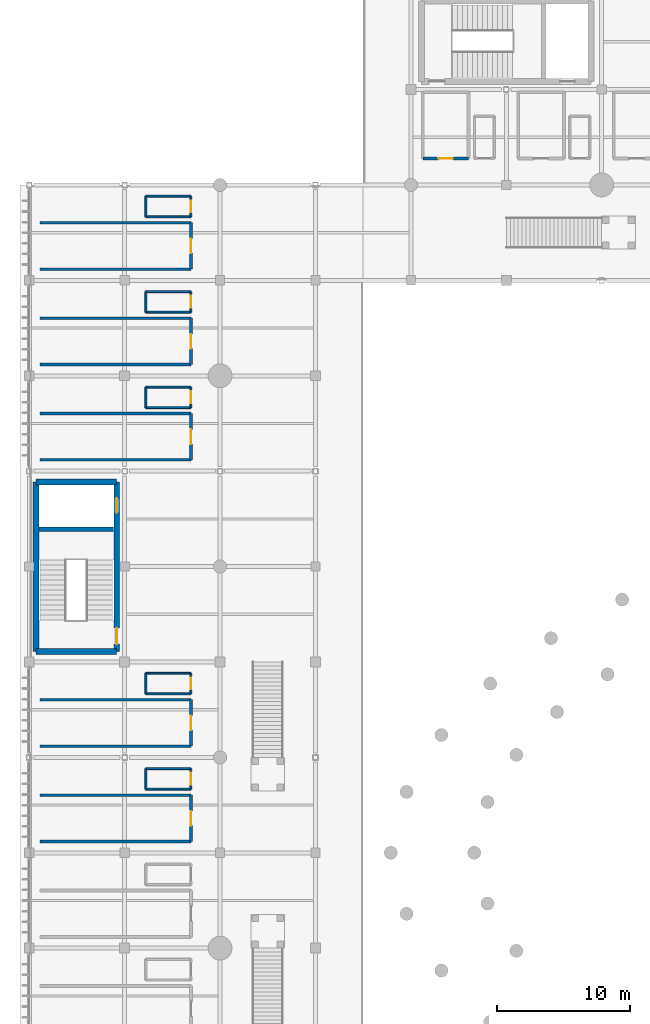
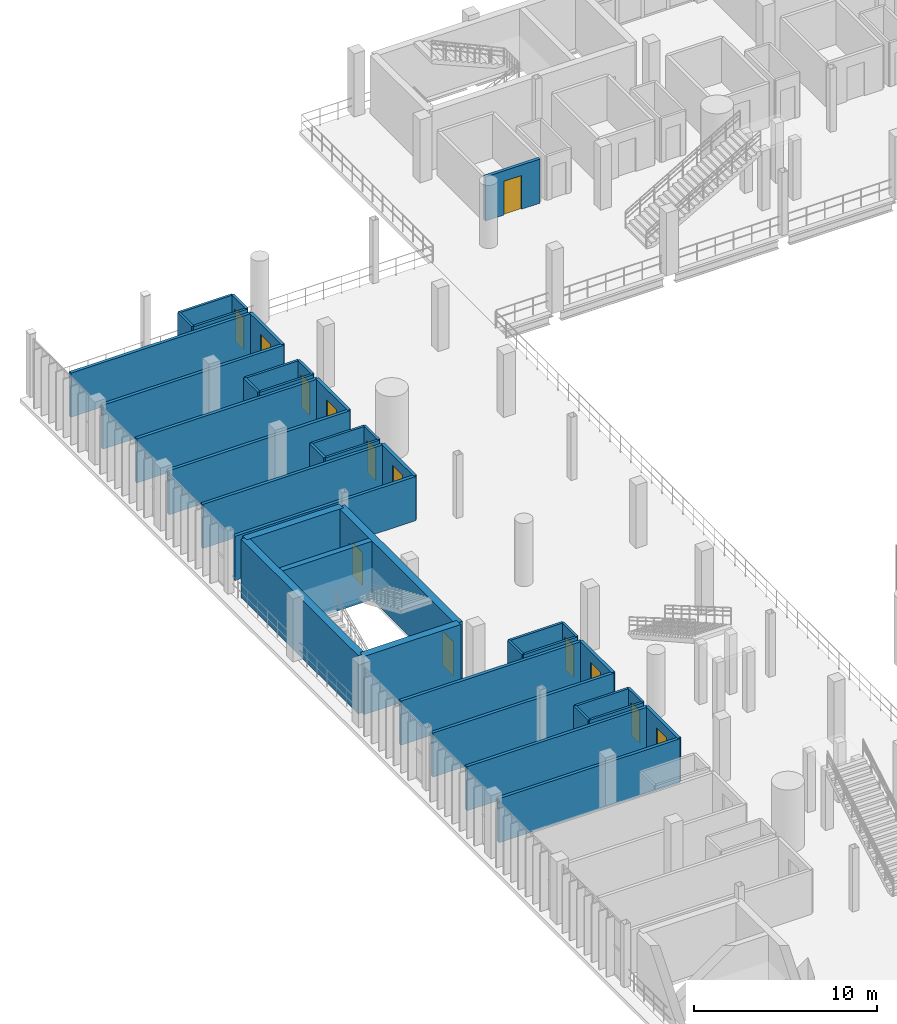
# One storey, part 106 of 130: 41 walls, 13 doors, 13 openings.
"""IFC4 building model written with IfcOpenShell, lengths in metres."""

from ifc_helpers import new_model, si_unit, direction, frame, frame_2d, origin, place, context, subcontext, project, spatial, rectangle, extrude, material, layer, layer_set, type_object, element, fill, save


model = new_model("IFC4")

# Units and contexts
model_context = context("Model", 3, precision=1e-05, world=origin(), true_north=direction((0.0, 1.0)))
body_context = subcontext(model_context, "Body", "Model", "MODEL_VIEW")
ifc_project = project(units=[si_unit("LENGTHUNIT", "METRE"), si_unit("AREAUNIT", "SQUARE_METRE"), si_unit("VOLUMEUNIT", "CUBIC_METRE"), si_unit("PLANEANGLEUNIT", "RADIAN"), si_unit("MASSUNIT", "GRAM", prefix="KILO")], contexts=[model_context])

# Site, building, storey
site_placement = place(None, origin())
site = spatial("IfcSite", under=ifc_project, at=site_placement, CompositionType="ELEMENT")
building_placement = place(site_placement, origin())
building = spatial("IfcBuilding", under=site, at=building_placement, Name="Qandorah Velis Arena", CompositionType="ELEMENT")
storey_placement = place(building_placement, frame((0.0, 0.0, 9.60009765625)))
storey = spatial("IfcBuildingStorey", under=building, at=storey_placement, Name="L02", CompositionType="ELEMENT", Elevation=9.60009765625)

# Wall
ifc_material_1 = material(Name="Concrete C35/45", Category="concrete")
ifc_layer_1 = layer(ifc_material_1, 0.199951171875)
ifc_layer_set_1 = layer_set([ifc_layer_1], Name="Concrete C35/45")
wall_type_1 = type_object("IfcWallType", Name="ARC-WAL-FD60-200", PredefinedType="PARTITIONING", material=ifc_layer_set_1)
wall_1_placement = place(storey_placement, frame((0.800048828125, 65.64990234375, 0.0), z_axis=(0.0, 0.0, 1.0), x_axis=(1.0, 0.0, 0.0)))
element("IfcWall", 1, at=wall_1_placement, inside=storey, type_object=wall_type_1, Name="Interior partition L02-HS-06 (S)", PredefinedType="PARTITIONING", context=body_context, shape_type="SweptSolid", body=[
    extrude(rectangle(XDim=11.39990234375, YDim=0.199951171875, at=frame_2d((5.699951171875, 0.0))), origin(), (0.0, 0.0, 1.0), 2.93994140625),
])

# Wall, opening, door
wall_2_placement = place(storey_placement, frame((12.199951171875, 65.64990234375, 0.0), z_axis=(0.0, 0.0, 1.0), x_axis=(0.0, 1.0, 0.0)))
wall_2 = element("IfcWall", 2, at=wall_2_placement, inside=storey, type_object=wall_type_1, Name="Interior partition L02-HS-06 (E)", PredefinedType="PARTITIONING", context=body_context, shape_type="SweptSolid", body=[
    extrude(rectangle(XDim=3.5, YDim=0.199951171875, at=frame_2d((1.75, 0.0))), origin(), (0.0, 0.0, 1.0), 2.93994140625),
])
opening_1_placement = place(wall_2_placement, frame((1.199951171875, 0.0, 0.0)))
opening_1 = element("IfcOpeningElement", 3, at=opening_1_placement, cuts=wall_2, Name="Opening D7", PredefinedType="OPENING", context=body_context, shape_type="SweptSolid", body=[
    extrude(rectangle(XDim=1.10009765625, YDim=2.25, at=frame_2d((0.550048828125, 1.125))), frame((0.0, 0.10986328125, 0.0), z_axis=(0.0, -1.0, 0.0), x_axis=(1.0, 0.0, 0.0)), (0.0, 0.0, 1.0), 0.219970703125),
])
ifc_material_2 = material(Name="Hospitality suite acoustic walnut door")
door_type_1 = type_object("IfcDoorType", Name="ARC-DR-INT1100", OperationType="NOTDEFINED", PredefinedType="DOOR", material=ifc_material_2)
door_1_placement = place(opening_1_placement, origin())
door_1 = element("IfcDoor", 4, at=door_1_placement, inside=storey, type_object=door_type_1, Name="Door L02-HS-06", OperationType="SINGLE_SWING_LEFT", OverallHeight=2.25, OverallWidth=1.10009765625, PredefinedType="DOOR", context=body_context, shape_type="SweptSolid", body=[
    extrude(rectangle(XDim=1.10009765625, YDim=2.25, at=frame_2d((0.550048828125, 1.125))), frame((0.0, 0.02490234375, 0.0), z_axis=(0.0, -1.0, 0.0), x_axis=(1.0, 0.0, 0.0)), (0.0, 0.0, 1.0), 0.050048828125),
])
fill(opening_1, door_1)

# Walls
for number, where, z_axis, x_axis, name in (
    (5, (12.199951171875, 69.14990234375, 0.0), (0.0, 0.0, 1.0), (-1.0, 0.0, 0.0), "Interior partition L02-HS-06 (N)"),
    (6, (0.800048828125, 72.85009765625, 0.0), (0.0, 0.0, 1.0), (1.0, 0.0, 0.0), "Interior partition L02-HS-07 (S)"),
):
    element("IfcWall", number, at=place(storey_placement, frame(where, z_axis=z_axis, x_axis=x_axis)), inside=storey, type_object=wall_type_1, Name=name, PredefinedType="PARTITIONING", context=body_context, shape_type="SweptSolid", body=[
        extrude(rectangle(XDim=11.39990234375, YDim=0.199951171875, at=frame_2d((5.699951171875, 0.0))), origin(), (0.0, 0.0, 1.0), 2.93994140625),
    ])

# Wall, opening, door
wall_3_placement = place(storey_placement, frame((12.199951171875, 72.85009765625, 0.0), z_axis=(0.0, 0.0, 1.0), x_axis=(0.0, 1.0, 0.0)))
wall_3 = element("IfcWall", 7, at=wall_3_placement, inside=storey, type_object=wall_type_1, Name="Interior partition L02-HS-07 (E)", PredefinedType="PARTITIONING", context=body_context, shape_type="SweptSolid", body=[
    extrude(rectangle(XDim=3.5, YDim=0.199951171875, at=frame_2d((1.75, 0.0))), origin(), (0.0, 0.0, 1.0), 2.93994140625),
])
opening_2_placement = place(wall_3_placement, frame((1.199951171875, 0.0, 0.0)))
opening_2 = element("IfcOpeningElement", 8, at=opening_2_placement, cuts=wall_3, Name="Opening D7", PredefinedType="OPENING", context=body_context, shape_type="SweptSolid", body=[
    extrude(rectangle(XDim=1.10009765625, YDim=2.25, at=frame_2d((0.550048828125, 1.125))), frame((0.0, 0.10986328125, 0.0), z_axis=(0.0, -1.0, 0.0), x_axis=(1.0, 0.0, 0.0)), (0.0, 0.0, 1.0), 0.219970703125),
])
door_2_placement = place(opening_2_placement, origin())
door_2 = element("IfcDoor", 9, at=door_2_placement, inside=storey, type_object=door_type_1, Name="Door L02-HS-07", OperationType="SINGLE_SWING_LEFT", OverallHeight=2.25, OverallWidth=1.10009765625, PredefinedType="DOOR", context=body_context, shape_type="SweptSolid", body=[
    extrude(rectangle(XDim=1.10009765625, YDim=2.25, at=frame_2d((0.550048828125, 1.125))), frame((0.0, 0.02490234375, 0.0), z_axis=(0.0, -1.0, 0.0), x_axis=(1.0, 0.0, 0.0)), (0.0, 0.0, 1.0), 0.050048828125),
])
fill(opening_2, door_2)

# Walls
for number, where, z_axis, x_axis, name in (
    (10, (12.199951171875, 76.35009765625, 0.0), (0.0, 0.0, 1.0), (-1.0, 0.0, 0.0), "Interior partition L02-HS-07 (N)"),
    (11, (0.800048828125, 94.449951171875, 0.0), (0.0, 0.0, 1.0), (1.0, 0.0, 0.0), "Interior partition L02-HS-08 (S)"),
):
    element("IfcWall", number, at=place(storey_placement, frame(where, z_axis=z_axis, x_axis=x_axis)), inside=storey, type_object=wall_type_1, Name=name, PredefinedType="PARTITIONING", context=body_context, shape_type="SweptSolid", body=[
        extrude(rectangle(XDim=11.39990234375, YDim=0.199951171875, at=frame_2d((5.699951171875, 0.0))), origin(), (0.0, 0.0, 1.0), 2.93994140625),
    ])

# Wall, opening, door
wall_4_placement = place(storey_placement, frame((12.199951171875, 94.449951171875, 0.0), z_axis=(0.0, 0.0, 1.0), x_axis=(0.0, 1.0, 0.0)))
wall_4 = element("IfcWall", 12, at=wall_4_placement, inside=storey, type_object=wall_type_1, Name="Interior partition L02-HS-08 (E)", PredefinedType="PARTITIONING", context=body_context, shape_type="SweptSolid", body=[
    extrude(rectangle(XDim=3.5, YDim=0.199951171875, at=frame_2d((1.75, 0.0))), origin(), (0.0, 0.0, 1.0), 2.93994140625),
])
opening_3_placement = place(wall_4_placement, frame((1.199951171875, 0.0, 0.0)))
opening_3 = element("IfcOpeningElement", 13, at=opening_3_placement, cuts=wall_4, Name="Opening D7", PredefinedType="OPENING", context=body_context, shape_type="SweptSolid", body=[
    extrude(rectangle(XDim=1.10009765625, YDim=2.25, at=frame_2d((0.550048828125, 1.125))), frame((0.0, 0.10986328125, 0.0), z_axis=(0.0, -1.0, 0.0), x_axis=(1.0, 0.0, 0.0)), (0.0, 0.0, 1.0), 0.219970703125),
])
door_3_placement = place(opening_3_placement, origin())
door_3 = element("IfcDoor", 14, at=door_3_placement, inside=storey, type_object=door_type_1, Name="Door L02-HS-08", OperationType="SINGLE_SWING_LEFT", OverallHeight=2.25, OverallWidth=1.10009765625, PredefinedType="DOOR", context=body_context, shape_type="SweptSolid", body=[
    extrude(rectangle(XDim=1.10009765625, YDim=2.25, at=frame_2d((0.550048828125, 1.125))), frame((0.0, 0.02490234375, 0.0), z_axis=(0.0, -1.0, 0.0), x_axis=(1.0, 0.0, 0.0)), (0.0, 0.0, 1.0), 0.050048828125),
])
fill(opening_3, door_3)

# Walls
for number, where, z_axis, x_axis, name in (
    (15, (12.199951171875, 97.949951171875, 0.0), (0.0, 0.0, 1.0), (-1.0, 0.0, 0.0), "Interior partition L02-HS-08 (N)"),
    (16, (0.800048828125, 101.64990234375, 0.0), (0.0, 0.0, 1.0), (1.0, 0.0, 0.0), "Interior partition L02-HS-09 (S)"),
):
    element("IfcWall", number, at=place(storey_placement, frame(where, z_axis=z_axis, x_axis=x_axis)), inside=storey, type_object=wall_type_1, Name=name, PredefinedType="PARTITIONING", context=body_context, shape_type="SweptSolid", body=[
        extrude(rectangle(XDim=11.39990234375, YDim=0.199951171875, at=frame_2d((5.699951171875, 0.0))), origin(), (0.0, 0.0, 1.0), 2.93994140625),
    ])

# Wall, opening, door
wall_5_placement = place(storey_placement, frame((12.199951171875, 101.64990234375, 0.0), z_axis=(0.0, 0.0, 1.0), x_axis=(0.0, 1.0, 0.0)))
wall_5 = element("IfcWall", 17, at=wall_5_placement, inside=storey, type_object=wall_type_1, Name="Interior partition L02-HS-09 (E)", PredefinedType="PARTITIONING", context=body_context, shape_type="SweptSolid", body=[
    extrude(rectangle(XDim=3.5, YDim=0.199951171875, at=frame_2d((1.75, 0.0))), origin(), (0.0, 0.0, 1.0), 2.93994140625),
])
opening_4_placement = place(wall_5_placement, frame((1.199951171875, 0.0, 0.0)))
opening_4 = element("IfcOpeningElement", 18, at=opening_4_placement, cuts=wall_5, Name="Opening D7", PredefinedType="OPENING", context=body_context, shape_type="SweptSolid", body=[
    extrude(rectangle(XDim=1.10009765625, YDim=2.25, at=frame_2d((0.550048828125, 1.125))), frame((0.0, 0.10986328125, 0.0), z_axis=(0.0, -1.0, 0.0), x_axis=(1.0, 0.0, 0.0)), (0.0, 0.0, 1.0), 0.219970703125),
])
door_4_placement = place(opening_4_placement, origin())
door_4 = element("IfcDoor", 19, at=door_4_placement, inside=storey, type_object=door_type_1, Name="Door L02-HS-09", OperationType="SINGLE_SWING_LEFT", OverallHeight=2.25, OverallWidth=1.10009765625, PredefinedType="DOOR", context=body_context, shape_type="SweptSolid", body=[
    extrude(rectangle(XDim=1.10009765625, YDim=2.25, at=frame_2d((0.550048828125, 1.125))), frame((0.0, 0.02490234375, 0.0), z_axis=(0.0, -1.0, 0.0), x_axis=(1.0, 0.0, 0.0)), (0.0, 0.0, 1.0), 0.050048828125),
])
fill(opening_4, door_4)

# Walls
for number, where, z_axis, x_axis, name in (
    (20, (12.199951171875, 105.14990234375, 0.0), (0.0, 0.0, 1.0), (-1.0, 0.0, 0.0), "Interior partition L02-HS-09 (N)"),
    (21, (0.800048828125, 108.85009765625, 0.0), (0.0, 0.0, 1.0), (1.0, 0.0, 0.0), "Interior partition L02-HS-10 (S)"),
):
    element("IfcWall", number, at=place(storey_placement, frame(where, z_axis=z_axis, x_axis=x_axis)), inside=storey, type_object=wall_type_1, Name=name, PredefinedType="PARTITIONING", context=body_context, shape_type="SweptSolid", body=[
        extrude(rectangle(XDim=11.39990234375, YDim=0.199951171875, at=frame_2d((5.699951171875, 0.0))), origin(), (0.0, 0.0, 1.0), 2.93994140625),
    ])

# Wall, opening, door
wall_6_placement = place(storey_placement, frame((12.199951171875, 108.85009765625, 0.0), z_axis=(0.0, 0.0, 1.0), x_axis=(0.0, 1.0, 0.0)))
wall_6 = element("IfcWall", 22, at=wall_6_placement, inside=storey, type_object=wall_type_1, Name="Interior partition L02-HS-10 (E)", PredefinedType="PARTITIONING", context=body_context, shape_type="SweptSolid", body=[
    extrude(rectangle(XDim=3.5, YDim=0.199951171875, at=frame_2d((1.75, 0.0))), origin(), (0.0, 0.0, 1.0), 2.93994140625),
])
opening_5_placement = place(wall_6_placement, frame((1.199951171875, 0.0, 0.0)))
opening_5 = element("IfcOpeningElement", 23, at=opening_5_placement, cuts=wall_6, Name="Opening D7", PredefinedType="OPENING", context=body_context, shape_type="SweptSolid", body=[
    extrude(rectangle(XDim=1.10009765625, YDim=2.25, at=frame_2d((0.550048828125, 1.125))), frame((0.0, 0.10986328125, 0.0), z_axis=(0.0, -1.0, 0.0), x_axis=(1.0, 0.0, 0.0)), (0.0, 0.0, 1.0), 0.219970703125),
])
door_5_placement = place(opening_5_placement, origin())
door_5 = element("IfcDoor", 24, at=door_5_placement, inside=storey, type_object=door_type_1, Name="Door L02-HS-10", OperationType="SINGLE_SWING_LEFT", OverallHeight=2.25, OverallWidth=1.10009765625, PredefinedType="DOOR", context=body_context, shape_type="SweptSolid", body=[
    extrude(rectangle(XDim=1.10009765625, YDim=2.25, at=frame_2d((0.550048828125, 1.125))), frame((0.0, 0.02490234375, 0.0), z_axis=(0.0, -1.0, 0.0), x_axis=(1.0, 0.0, 0.0)), (0.0, 0.0, 1.0), 0.050048828125),
])
fill(opening_5, door_5)

# Wall
wall_7_placement = place(storey_placement, frame((12.199951171875, 112.35009765625, 0.0), z_axis=(0.0, 0.0, 1.0), x_axis=(-1.0, 0.0, 0.0)))
element("IfcWall", 25, at=wall_7_placement, inside=storey, type_object=wall_type_1, Name="Interior partition L02-HS-10 (N)", PredefinedType="PARTITIONING", context=body_context, shape_type="SweptSolid", body=[
    extrude(rectangle(XDim=11.39990234375, YDim=0.199951171875, at=frame_2d((5.699951171875, 0.0))), origin(), (0.0, 0.0, 1.0), 2.93994140625),
])

# Wall, opening, door
wall_8_placement = place(storey_placement, frame((29.699951171875, 117.199951171875, 0.0), z_axis=(0.0, 0.0, 1.0), x_axis=(1.0, 0.0, 0.0)))
wall_8 = element("IfcWall", 26, at=wall_8_placement, inside=storey, type_object=wall_type_1, Name="Interior partition L02-HS-17 (S)", PredefinedType="PARTITIONING", context=body_context, shape_type="SweptSolid", body=[
    extrude(rectangle(XDim=3.449951171875, YDim=0.199951171875, at=frame_2d((1.72509765625, 0.0))), origin(), (0.0, 0.0, 1.0), 2.93994140625),
])
opening_6_placement = place(wall_8_placement, frame((1.175048828125, 0.0, 0.0)))
opening_6 = element("IfcOpeningElement", 27, at=opening_6_placement, cuts=wall_8, Name="Opening D7", PredefinedType="OPENING", context=body_context, shape_type="SweptSolid", body=[
    extrude(rectangle(XDim=1.10009765625, YDim=2.25, at=frame_2d((0.550048828125, 1.125))), frame((0.0, 0.10986328125, 0.0), z_axis=(0.0, -1.0, 0.0), x_axis=(1.0, 0.0, 0.0)), (0.0, 0.0, 1.0), 0.219970703125),
])
door_6_placement = place(opening_6_placement, origin())
door_6 = element("IfcDoor", 28, at=door_6_placement, inside=storey, type_object=door_type_1, Name="Door L02-HS-17", OperationType="SINGLE_SWING_LEFT", OverallHeight=2.25, OverallWidth=1.10009765625, PredefinedType="DOOR", context=body_context, shape_type="SweptSolid", body=[
    extrude(rectangle(XDim=1.10009765625, YDim=2.25, at=frame_2d((0.550048828125, 1.125))), frame((0.0, 0.02490234375, 0.0), z_axis=(0.0, -1.0, 0.0), x_axis=(1.0, 0.0, 0.0)), (0.0, 0.0, 1.0), 0.050048828125),
])
fill(opening_6, door_6)

# Wall
ifc_layer_2 = layer(ifc_material_1, 0.14990234375)
ifc_layer_set_2 = layer_set([ifc_layer_2], Name="Concrete C35/45")
wall_type_2 = type_object("IfcWallType", Name="ARC-WAL-PART150", PredefinedType="PARTITIONING", material=ifc_layer_set_2)
wall_9_placement = place(storey_placement, frame((8.800048828125, 69.60009765625, 0.0), z_axis=(0.0, 0.0, 1.0), x_axis=(1.0, 0.0, 0.0)))
element("IfcWall", 29, at=wall_9_placement, inside=storey, type_object=wall_type_2, Name="Interior partition L02-HSWC-06 (S)", PredefinedType="PARTITIONING", context=body_context, shape_type="SweptSolid", body=[
    extrude(rectangle(XDim=3.39990234375, YDim=0.14990234375, at=frame_2d((1.699951171875, 0.0))), origin(), (0.0, 0.0, 1.0), 2.93994140625),
])

# Wall, opening, door
wall_10_placement = place(storey_placement, frame((12.199951171875, 69.60009765625, 0.0), z_axis=(0.0, 0.0, 1.0), x_axis=(0.0, 1.0, 0.0)))
wall_10 = element("IfcWall", 30, at=wall_10_placement, inside=storey, type_object=wall_type_2, Name="Interior partition L02-HSWC-06 (E)", PredefinedType="PARTITIONING", context=body_context, shape_type="SweptSolid", body=[
    extrude(rectangle(XDim=1.5498046875, YDim=0.14990234375, at=frame_2d((0.77490234375, 0.0))), origin(), (0.0, 0.0, 1.0), 2.93994140625),
])
opening_7_placement = place(wall_10_placement, frame((0.324951171875, 0.0, 0.0)))
opening_7 = element("IfcOpeningElement", 31, at=opening_7_placement, cuts=wall_10, Name="Opening D8", PredefinedType="OPENING", context=body_context, shape_type="SweptSolid", body=[
    extrude(rectangle(XDim=0.89990234375, YDim=2.14990234375, at=frame_2d((0.449951171875, 1.074951171875))), frame((0.0, 0.0849609375, 0.0), z_axis=(0.0, -1.0, 0.0), x_axis=(1.0, 0.0, 0.0)), (0.0, 0.0, 1.0), 0.169921875),
])
ifc_material_3 = material(Name="Suite en-suite walnut door")
door_type_2 = type_object("IfcDoorType", Name="ARC-DR-WC900", OperationType="NOTDEFINED", PredefinedType="DOOR", material=ifc_material_3)
door_7_placement = place(opening_7_placement, frame((0.89990234375, 0.0, 0.0), z_axis=(0.0, 0.0, 1.0), x_axis=(-1.0, 0.0, 0.0)))
door_7 = element("IfcDoor", 32, at=door_7_placement, inside=storey, type_object=door_type_2, Name="Door L02-HSWC-06", OperationType="SINGLE_SWING_RIGHT", OverallHeight=2.14990234375, OverallWidth=0.89990234375, PredefinedType="DOOR", context=body_context, shape_type="SweptSolid", body=[
    extrude(rectangle(XDim=0.89990234375, YDim=2.14990234375, at=frame_2d((0.449951171875, 1.074951171875))), frame((0.0, 0.02490234375, 0.0), z_axis=(0.0, -1.0, 0.0), x_axis=(1.0, 0.0, 0.0)), (0.0, 0.0, 1.0), 0.050048828125),
])
fill(opening_7, door_7)

# Walls
wall_11_placement = place(storey_placement, frame((12.199951171875, 71.14990234375, 0.0), z_axis=(0.0, 0.0, 1.0), x_axis=(-1.0, 0.0, 0.0)))
element("IfcWall", 33, at=wall_11_placement, inside=storey, type_object=wall_type_2, Name="Interior partition L02-HSWC-06 (N)", PredefinedType="PARTITIONING", context=body_context, shape_type="SweptSolid", body=[
    extrude(rectangle(XDim=3.39990234375, YDim=0.14990234375, at=frame_2d((1.699951171875, 0.0))), origin(), (0.0, 0.0, 1.0), 2.93994140625),
])
wall_12_placement = place(storey_placement, frame((8.800048828125, 71.14990234375, 0.0), z_axis=(0.0, 0.0, 1.0), x_axis=(0.0, -1.0, 0.0)))
element("IfcWall", 34, at=wall_12_placement, inside=storey, type_object=wall_type_2, Name="Interior partition L02-HSWC-06 (W)", PredefinedType="PARTITIONING", context=body_context, shape_type="SweptSolid", body=[
    extrude(rectangle(XDim=1.5498046875, YDim=0.14990234375, at=frame_2d((0.77490234375, 0.0))), origin(), (0.0, 0.0, 1.0), 2.93994140625),
])
wall_13_placement = place(storey_placement, frame((8.800048828125, 76.800048828125, 0.0), z_axis=(0.0, 0.0, 1.0), x_axis=(1.0, 0.0, 0.0)))
element("IfcWall", 35, at=wall_13_placement, inside=storey, type_object=wall_type_2, Name="Interior partition L02-HSWC-07 (S)", PredefinedType="PARTITIONING", context=body_context, shape_type="SweptSolid", body=[
    extrude(rectangle(XDim=3.39990234375, YDim=0.14990234375, at=frame_2d((1.699951171875, 0.0))), origin(), (0.0, 0.0, 1.0), 2.93994140625),
])

# Wall, opening, door
wall_14_placement = place(storey_placement, frame((12.199951171875, 76.800048828125, 0.0), z_axis=(0.0, 0.0, 1.0), x_axis=(0.0, 1.0, 0.0)))
wall_14 = element("IfcWall", 36, at=wall_14_placement, inside=storey, type_object=wall_type_2, Name="Interior partition L02-HSWC-07 (E)", PredefinedType="PARTITIONING", context=body_context, shape_type="SweptSolid", body=[
    extrude(rectangle(XDim=1.550048828125, YDim=0.14990234375, at=frame_2d((0.77490234375, 0.0))), origin(), (0.0, 0.0, 1.0), 2.93994140625),
])
opening_8_placement = place(wall_14_placement, frame((0.324951171875, 0.0, 0.0)))
opening_8 = element("IfcOpeningElement", 37, at=opening_8_placement, cuts=wall_14, Name="Opening D8", PredefinedType="OPENING", context=body_context, shape_type="SweptSolid", body=[
    extrude(rectangle(XDim=0.89990234375, YDim=2.14990234375, at=frame_2d((0.449951171875, 1.074951171875))), frame((0.0, 0.0849609375, 0.0), z_axis=(0.0, -1.0, 0.0), x_axis=(1.0, 0.0, 0.0)), (0.0, 0.0, 1.0), 0.169921875),
])
door_8_placement = place(opening_8_placement, frame((0.89990234375, 0.0, 0.0), z_axis=(0.0, 0.0, 1.0), x_axis=(-1.0, 0.0, 0.0)))
door_8 = element("IfcDoor", 38, at=door_8_placement, inside=storey, type_object=door_type_2, Name="Door L02-HSWC-07", OperationType="SINGLE_SWING_RIGHT", OverallHeight=2.14990234375, OverallWidth=0.89990234375, PredefinedType="DOOR", context=body_context, shape_type="SweptSolid", body=[
    extrude(rectangle(XDim=0.89990234375, YDim=2.14990234375, at=frame_2d((0.449951171875, 1.074951171875))), frame((0.0, 0.02490234375, 0.0), z_axis=(0.0, -1.0, 0.0), x_axis=(1.0, 0.0, 0.0)), (0.0, 0.0, 1.0), 0.050048828125),
])
fill(opening_8, door_8)

# Walls
wall_15_placement = place(storey_placement, frame((12.199951171875, 78.35009765625, 0.0), z_axis=(0.0, 0.0, 1.0), x_axis=(-1.0, 0.0, 0.0)))
element("IfcWall", 39, at=wall_15_placement, inside=storey, type_object=wall_type_2, Name="Interior partition L02-HSWC-07 (N)", PredefinedType="PARTITIONING", context=body_context, shape_type="SweptSolid", body=[
    extrude(rectangle(XDim=3.39990234375, YDim=0.14990234375, at=frame_2d((1.699951171875, 0.0))), origin(), (0.0, 0.0, 1.0), 2.93994140625),
])
wall_16_placement = place(storey_placement, frame((8.800048828125, 78.35009765625, 0.0), z_axis=(0.0, 0.0, 1.0), x_axis=(0.0, -1.0, 0.0)))
element("IfcWall", 40, at=wall_16_placement, inside=storey, type_object=wall_type_2, Name="Interior partition L02-HSWC-07 (W)", PredefinedType="PARTITIONING", context=body_context, shape_type="SweptSolid", body=[
    extrude(rectangle(XDim=1.550048828125, YDim=0.14990234375, at=frame_2d((0.77490234375, 0.0))), origin(), (0.0, 0.0, 1.0), 2.93994140625),
])
wall_17_placement = place(storey_placement, frame((8.800048828125, 98.39990234375, 0.0), z_axis=(0.0, 0.0, 1.0), x_axis=(1.0, 0.0, 0.0)))
element("IfcWall", 41, at=wall_17_placement, inside=storey, type_object=wall_type_2, Name="Interior partition L02-HSWC-08 (S)", PredefinedType="PARTITIONING", context=body_context, shape_type="SweptSolid", body=[
    extrude(rectangle(XDim=3.39990234375, YDim=0.14990234375, at=frame_2d((1.699951171875, 0.0))), origin(), (0.0, 0.0, 1.0), 2.93994140625),
])

# Wall, opening, door
wall_18_placement = place(storey_placement, frame((12.199951171875, 98.39990234375, 0.0), z_axis=(0.0, 0.0, 1.0), x_axis=(0.0, 1.0, 0.0)))
wall_18 = element("IfcWall", 42, at=wall_18_placement, inside=storey, type_object=wall_type_2, Name="Interior partition L02-HSWC-08 (E)", PredefinedType="PARTITIONING", context=body_context, shape_type="SweptSolid", body=[
    extrude(rectangle(XDim=1.550048828125, YDim=0.14990234375, at=frame_2d((0.77490234375, 0.0))), origin(), (0.0, 0.0, 1.0), 2.93994140625),
])
opening_9_placement = place(wall_18_placement, frame((0.324951171875, 0.0, 0.0)))
opening_9 = element("IfcOpeningElement", 43, at=opening_9_placement, cuts=wall_18, Name="Opening D8", PredefinedType="OPENING", context=body_context, shape_type="SweptSolid", body=[
    extrude(rectangle(XDim=0.89990234375, YDim=2.14990234375, at=frame_2d((0.449951171875, 1.074951171875))), frame((0.0, 0.0849609375, 0.0), z_axis=(0.0, -1.0, 0.0), x_axis=(1.0, 0.0, 0.0)), (0.0, 0.0, 1.0), 0.169921875),
])
door_9_placement = place(opening_9_placement, frame((0.89990234375, 0.0, 0.0), z_axis=(0.0, 0.0, 1.0), x_axis=(-1.0, 0.0, 0.0)))
door_9 = element("IfcDoor", 44, at=door_9_placement, inside=storey, type_object=door_type_2, Name="Door L02-HSWC-08", OperationType="SINGLE_SWING_RIGHT", OverallHeight=2.14990234375, OverallWidth=0.89990234375, PredefinedType="DOOR", context=body_context, shape_type="SweptSolid", body=[
    extrude(rectangle(XDim=0.89990234375, YDim=2.14990234375, at=frame_2d((0.449951171875, 1.074951171875))), frame((0.0, 0.02490234375, 0.0), z_axis=(0.0, -1.0, 0.0), x_axis=(1.0, 0.0, 0.0)), (0.0, 0.0, 1.0), 0.050048828125),
])
fill(opening_9, door_9)

# Walls
wall_19_placement = place(storey_placement, frame((12.199951171875, 99.949951171875, 0.0), z_axis=(0.0, 0.0, 1.0), x_axis=(-1.0, 0.0, 0.0)))
element("IfcWall", 45, at=wall_19_placement, inside=storey, type_object=wall_type_2, Name="Interior partition L02-HSWC-08 (N)", PredefinedType="PARTITIONING", context=body_context, shape_type="SweptSolid", body=[
    extrude(rectangle(XDim=3.39990234375, YDim=0.14990234375, at=frame_2d((1.699951171875, 0.0))), origin(), (0.0, 0.0, 1.0), 2.93994140625),
])
wall_20_placement = place(storey_placement, frame((8.800048828125, 99.949951171875, 0.0), z_axis=(0.0, 0.0, 1.0), x_axis=(0.0, -1.0, 0.0)))
element("IfcWall", 46, at=wall_20_placement, inside=storey, type_object=wall_type_2, Name="Interior partition L02-HSWC-08 (W)", PredefinedType="PARTITIONING", context=body_context, shape_type="SweptSolid", body=[
    extrude(rectangle(XDim=1.550048828125, YDim=0.14990234375, at=frame_2d((0.77490234375, 0.0))), origin(), (0.0, 0.0, 1.0), 2.93994140625),
])
wall_21_placement = place(storey_placement, frame((8.800048828125, 105.60009765625, 0.0), z_axis=(0.0, 0.0, 1.0), x_axis=(1.0, 0.0, 0.0)))
element("IfcWall", 47, at=wall_21_placement, inside=storey, type_object=wall_type_2, Name="Interior partition L02-HSWC-09 (S)", PredefinedType="PARTITIONING", context=body_context, shape_type="SweptSolid", body=[
    extrude(rectangle(XDim=3.39990234375, YDim=0.14990234375, at=frame_2d((1.699951171875, 0.0))), origin(), (0.0, 0.0, 1.0), 2.93994140625),
])

# Wall, opening, door
wall_22_placement = place(storey_placement, frame((12.199951171875, 105.60009765625, 0.0), z_axis=(0.0, 0.0, 1.0), x_axis=(0.0, 1.0, 0.0)))
wall_22 = element("IfcWall", 48, at=wall_22_placement, inside=storey, type_object=wall_type_2, Name="Interior partition L02-HSWC-09 (E)", PredefinedType="PARTITIONING", context=body_context, shape_type="SweptSolid", body=[
    extrude(rectangle(XDim=1.5498046875, YDim=0.14990234375, at=frame_2d((0.77490234375, 0.0))), origin(), (0.0, 0.0, 1.0), 2.93994140625),
])
opening_10_placement = place(wall_22_placement, frame((0.324951171875, 0.0, 0.0)))
opening_10 = element("IfcOpeningElement", 49, at=opening_10_placement, cuts=wall_22, Name="Opening D8", PredefinedType="OPENING", context=body_context, shape_type="SweptSolid", body=[
    extrude(rectangle(XDim=0.89990234375, YDim=2.14990234375, at=frame_2d((0.449951171875, 1.074951171875))), frame((0.0, 0.0849609375, 0.0), z_axis=(0.0, -1.0, 0.0), x_axis=(1.0, 0.0, 0.0)), (0.0, 0.0, 1.0), 0.169921875),
])
door_10_placement = place(opening_10_placement, frame((0.89990234375, 0.0, 0.0), z_axis=(0.0, 0.0, 1.0), x_axis=(-1.0, 0.0, 0.0)))
door_10 = element("IfcDoor", 50, at=door_10_placement, inside=storey, type_object=door_type_2, Name="Door L02-HSWC-09", OperationType="SINGLE_SWING_RIGHT", OverallHeight=2.14990234375, OverallWidth=0.89990234375, PredefinedType="DOOR", context=body_context, shape_type="SweptSolid", body=[
    extrude(rectangle(XDim=0.89990234375, YDim=2.14990234375, at=frame_2d((0.449951171875, 1.074951171875))), frame((0.0, 0.02490234375, 0.0), z_axis=(0.0, -1.0, 0.0), x_axis=(1.0, 0.0, 0.0)), (0.0, 0.0, 1.0), 0.050048828125),
])
fill(opening_10, door_10)

# Walls
wall_23_placement = place(storey_placement, frame((12.199951171875, 107.14990234375, 0.0), z_axis=(0.0, 0.0, 1.0), x_axis=(-1.0, 0.0, 0.0)))
element("IfcWall", 51, at=wall_23_placement, inside=storey, type_object=wall_type_2, Name="Interior partition L02-HSWC-09 (N)", PredefinedType="PARTITIONING", context=body_context, shape_type="SweptSolid", body=[
    extrude(rectangle(XDim=3.39990234375, YDim=0.14990234375, at=frame_2d((1.699951171875, 0.0))), origin(), (0.0, 0.0, 1.0), 2.93994140625),
])
wall_24_placement = place(storey_placement, frame((8.800048828125, 107.14990234375, 0.0), z_axis=(0.0, 0.0, 1.0), x_axis=(0.0, -1.0, 0.0)))
element("IfcWall", 52, at=wall_24_placement, inside=storey, type_object=wall_type_2, Name="Interior partition L02-HSWC-09 (W)", PredefinedType="PARTITIONING", context=body_context, shape_type="SweptSolid", body=[
    extrude(rectangle(XDim=1.5498046875, YDim=0.14990234375, at=frame_2d((0.77490234375, 0.0))), origin(), (0.0, 0.0, 1.0), 2.93994140625),
])
wall_25_placement = place(storey_placement, frame((8.800048828125, 112.800048828125, 0.0), z_axis=(0.0, 0.0, 1.0), x_axis=(1.0, 0.0, 0.0)))
element("IfcWall", 53, at=wall_25_placement, inside=storey, type_object=wall_type_2, Name="Interior partition L02-HSWC-10 (S)", PredefinedType="PARTITIONING", context=body_context, shape_type="SweptSolid", body=[
    extrude(rectangle(XDim=3.39990234375, YDim=0.14990234375, at=frame_2d((1.699951171875, 0.0))), origin(), (0.0, 0.0, 1.0), 2.93994140625),
])

# Wall, opening, door
wall_26_placement = place(storey_placement, frame((12.199951171875, 112.800048828125, 0.0), z_axis=(0.0, 0.0, 1.0), x_axis=(0.0, 1.0, 0.0)))
wall_26 = element("IfcWall", 54, at=wall_26_placement, inside=storey, type_object=wall_type_2, Name="Interior partition L02-HSWC-10 (E)", PredefinedType="PARTITIONING", context=body_context, shape_type="SweptSolid", body=[
    extrude(rectangle(XDim=1.550048828125, YDim=0.14990234375, at=frame_2d((0.77490234375, 0.0))), origin(), (0.0, 0.0, 1.0), 2.93994140625),
])
opening_11_placement = place(wall_26_placement, frame((0.324951171875, 0.0, 0.0)))
opening_11 = element("IfcOpeningElement", 55, at=opening_11_placement, cuts=wall_26, Name="Opening D8", PredefinedType="OPENING", context=body_context, shape_type="SweptSolid", body=[
    extrude(rectangle(XDim=0.89990234375, YDim=2.14990234375, at=frame_2d((0.449951171875, 1.074951171875))), frame((0.0, 0.0849609375, 0.0), z_axis=(0.0, -1.0, 0.0), x_axis=(1.0, 0.0, 0.0)), (0.0, 0.0, 1.0), 0.169921875),
])
door_11_placement = place(opening_11_placement, frame((0.89990234375, 0.0, 0.0), z_axis=(0.0, 0.0, 1.0), x_axis=(-1.0, 0.0, 0.0)))
door_11 = element("IfcDoor", 56, at=door_11_placement, inside=storey, type_object=door_type_2, Name="Door L02-HSWC-10", OperationType="SINGLE_SWING_RIGHT", OverallHeight=2.14990234375, OverallWidth=0.89990234375, PredefinedType="DOOR", context=body_context, shape_type="SweptSolid", body=[
    extrude(rectangle(XDim=0.89990234375, YDim=2.14990234375, at=frame_2d((0.449951171875, 1.074951171875))), frame((0.0, 0.02490234375, 0.0), z_axis=(0.0, -1.0, 0.0), x_axis=(1.0, 0.0, 0.0)), (0.0, 0.0, 1.0), 0.050048828125),
])
fill(opening_11, door_11)

# Walls
wall_27_placement = place(storey_placement, frame((12.199951171875, 114.35009765625, 0.0), z_axis=(0.0, 0.0, 1.0), x_axis=(-1.0, 0.0, 0.0)))
element("IfcWall", 57, at=wall_27_placement, inside=storey, type_object=wall_type_2, Name="Interior partition L02-HSWC-10 (N)", PredefinedType="PARTITIONING", context=body_context, shape_type="SweptSolid", body=[
    extrude(rectangle(XDim=3.39990234375, YDim=0.14990234375, at=frame_2d((1.699951171875, 0.0))), origin(), (0.0, 0.0, 1.0), 2.93994140625),
])
wall_28_placement = place(storey_placement, frame((8.800048828125, 114.35009765625, 0.0), z_axis=(0.0, 0.0, 1.0), x_axis=(0.0, -1.0, 0.0)))
element("IfcWall", 58, at=wall_28_placement, inside=storey, type_object=wall_type_2, Name="Interior partition L02-HSWC-10 (W)", PredefinedType="PARTITIONING", context=body_context, shape_type="SweptSolid", body=[
    extrude(rectangle(XDim=1.550048828125, YDim=0.14990234375, at=frame_2d((0.77490234375, 0.0))), origin(), (0.0, 0.0, 1.0), 2.93994140625),
])
ifc_material_4 = material(Name="Concrete C40/50", Category="concrete")
ifc_layer_3 = layer(ifc_material_4, 0.449951171875)
ifc_layer_set_3 = layer_set([ifc_layer_3], Name="Concrete C40/50")
wall_type_3 = type_object("IfcWallType", Name="STR-WAL-CORE450", PredefinedType="SHEAR", material=ifc_layer_set_3)
for number, where, z_axis, x_axis, name in (
    (59, (0.5, 80.0, 0.0), (0.0, 0.0, 1.0), (1.0, 0.0, 0.0), "Core CORE-06 shear wall S (L02)"),
    (60, (0.5, 92.800048828125, 0.0), (0.0, 0.0, 1.0), (1.0, 0.0, 0.0), "Core CORE-06 shear wall N (L02)"),
):
    element("IfcWall", number, at=place(storey_placement, frame(where, z_axis=z_axis, x_axis=x_axis)), inside=storey, type_object=wall_type_3, Name=name, PredefinedType="SHEAR", context=body_context, shape_type="SweptSolid", body=[
        extrude(rectangle(XDim=6.10009765625, YDim=0.449951171875, at=frame_2d((3.050048828125, 0.0))), origin(), (0.0, 0.0, 1.0), 3.8798828125),
    ])
wall_29_placement = place(storey_placement, frame((0.5, 80.0, 0.0), z_axis=(0.0, 0.0, 1.0), x_axis=(0.0, 1.0, 0.0)))
element("IfcWall", 61, at=wall_29_placement, inside=storey, type_object=wall_type_3, Name="Core CORE-06 shear wall W (L02)", PredefinedType="SHEAR", context=body_context, shape_type="SweptSolid", body=[
    extrude(rectangle(XDim=12.800048828125, YDim=0.449951171875, at=frame_2d((6.39990234375, 0.0))), origin(), (0.0, 0.0, 1.0), 3.8798828125),
])

# Wall, openings, doors
wall_30_placement = place(storey_placement, frame((6.60009765625, 80.0, 0.0), z_axis=(0.0, 0.0, 1.0), x_axis=(0.0, 1.0, 0.0)))
wall_30 = element("IfcWall", 62, at=wall_30_placement, inside=storey, type_object=wall_type_3, Name="Core CORE-06 shear wall E (L02)", PredefinedType="SHEAR", context=body_context, shape_type="SweptSolid", body=[
    extrude(rectangle(XDim=12.800048828125, YDim=0.449951171875, at=frame_2d((6.39990234375, 0.0))), origin(), (0.0, 0.0, 1.0), 3.8798828125),
])
opening_12_placement = place(wall_30_placement, frame((0.550048828125, 0.0, 0.0)))
opening_12 = element("IfcOpeningElement", 63, at=opening_12_placement, cuts=wall_30, Name="Opening SD1", PredefinedType="OPENING", context=body_context, shape_type="SweptSolid", body=[
    extrude(rectangle(XDim=1.199951171875, YDim=2.25, at=frame_2d((0.60009765625, 1.125))), frame((0.0, 0.23486328125, 0.0), z_axis=(0.0, -1.0, 0.0), x_axis=(1.0, 0.0, 0.0)), (0.0, 0.0, 1.0), 0.469970703125),
])
opening_13_placement = place(wall_30_placement, frame((10.4580078125, 0.0, 0.0)))
opening_13 = element("IfcOpeningElement", 64, at=opening_13_placement, cuts=wall_30, Name="Opening LD1", PredefinedType="OPENING", context=body_context, shape_type="SweptSolid", body=[
    extrude(rectangle(XDim=1.10009765625, YDim=2.199951171875, at=frame_2d((0.550048828125, 1.10009765625))), frame((0.0, 0.23486328125, 0.0), z_axis=(0.0, -1.0, 0.0), x_axis=(1.0, 0.0, 0.0)), (0.0, 0.0, 1.0), 0.469970703125),
])
ifc_material_5 = material(Name="Stainless steel sliding lift landing door", Category="steel")
door_type_3 = type_object("IfcDoorType", Name="ARC-DR-LD1100", OperationType="NOTDEFINED", PredefinedType="DOOR", material=ifc_material_5)
door_12_placement = place(opening_13_placement, origin())
door_12 = element("IfcDoor", 65, at=door_12_placement, inside=storey, type_object=door_type_3, Name="Lift PL4 sliding landing door (L02)", OperationType="SLIDING_TO_RIGHT", OverallHeight=2.199951171875, OverallWidth=1.10009765625, PredefinedType="DOOR", context=body_context, shape_type="SweptSolid", body=[
    extrude(rectangle(XDim=1.10009765625, YDim=2.199951171875, at=frame_2d((0.550048828125, 1.10009765625))), frame((0.0, 0.02490234375, 0.0), z_axis=(0.0, -1.0, 0.0), x_axis=(1.0, 0.0, 0.0)), (0.0, 0.0, 1.0), 0.050048828125),
])
fill(opening_13, door_12)
ifc_material_6 = material(Name="Self-closing fire-rated stair steel door", Category="steel")
door_type_4 = type_object("IfcDoorType", Name="ARC-DR-ST1200", OperationType="NOTDEFINED", PredefinedType="DOOR", material=ifc_material_6)
door_13_placement = place(opening_12_placement, origin())
door_13 = element("IfcDoor", 66, at=door_13_placement, inside=storey, type_object=door_type_4, Name="Stair ST6 fire door (L02)", OperationType="SINGLE_SWING_LEFT", OverallHeight=2.25, OverallWidth=1.199951171875, PredefinedType="DOOR", context=body_context, shape_type="SweptSolid", body=[
    extrude(rectangle(XDim=1.199951171875, YDim=2.25, at=frame_2d((0.60009765625, 1.125))), frame((0.0, 0.02490234375, 0.0), z_axis=(0.0, -1.0, 0.0), x_axis=(1.0, 0.0, 0.0)), (0.0, 0.0, 1.0), 0.050048828125),
])
fill(opening_12, door_13)

# Wall
ifc_layer_4 = layer(ifc_material_4, 0.35009765625)
ifc_layer_set_4 = layer_set([ifc_layer_4], Name="Concrete C40/50")
wall_type_4 = type_object("IfcWallType", Name="STR-WAL-SH350", PredefinedType="SHEAR", material=ifc_layer_set_4)
wall_31_placement = place(storey_placement, frame((0.72509765625, 89.216064453125, 0.0), z_axis=(0.0, 0.0, 1.0), x_axis=(1.0, 0.0, 0.0)))
element("IfcWall", 67, at=wall_31_placement, inside=storey, type_object=wall_type_4, Name="Core CORE-06 shaft divider shear wall (L02)", PredefinedType="SHEAR", context=body_context, shape_type="SweptSolid", body=[
    extrude(rectangle(XDim=5.64990234375, YDim=0.35009765625, at=frame_2d((2.824951171875, 0.0))), origin(), (0.0, 0.0, 1.0), 3.8798828125),
])

save(model, "model.ifc")
